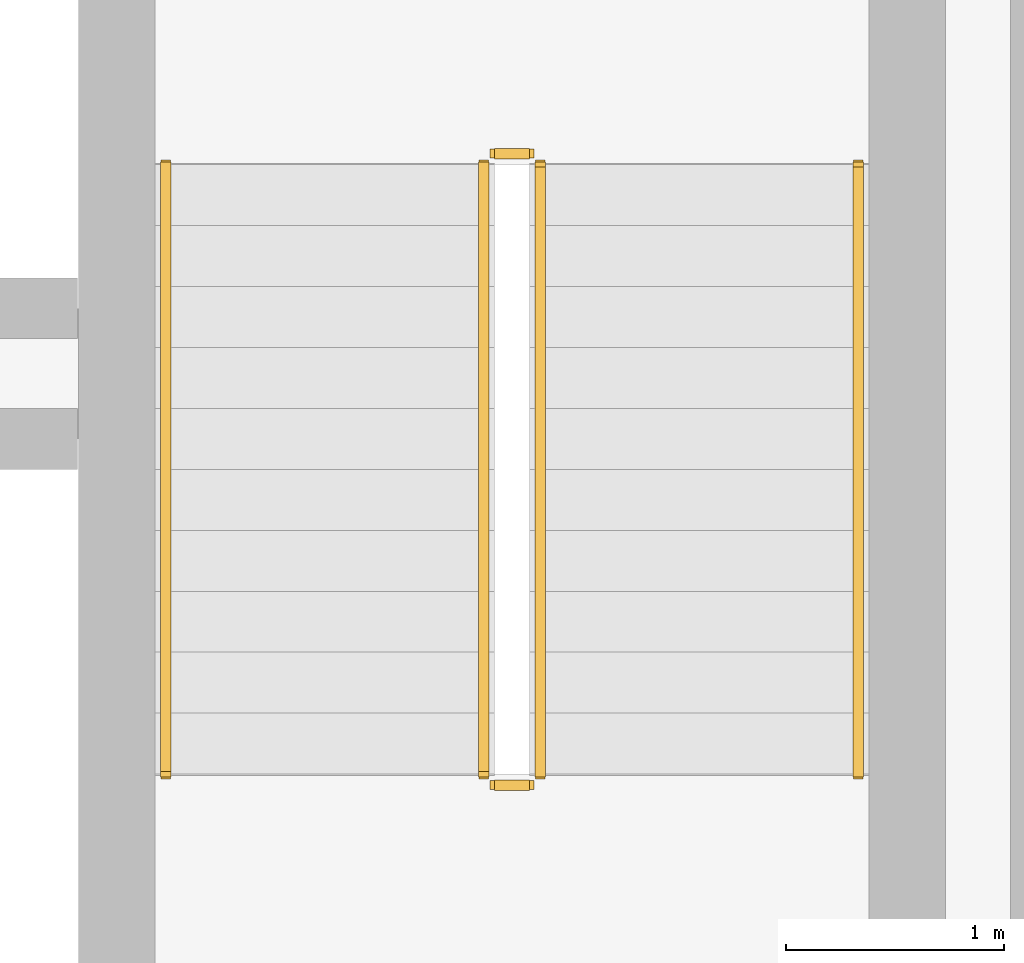
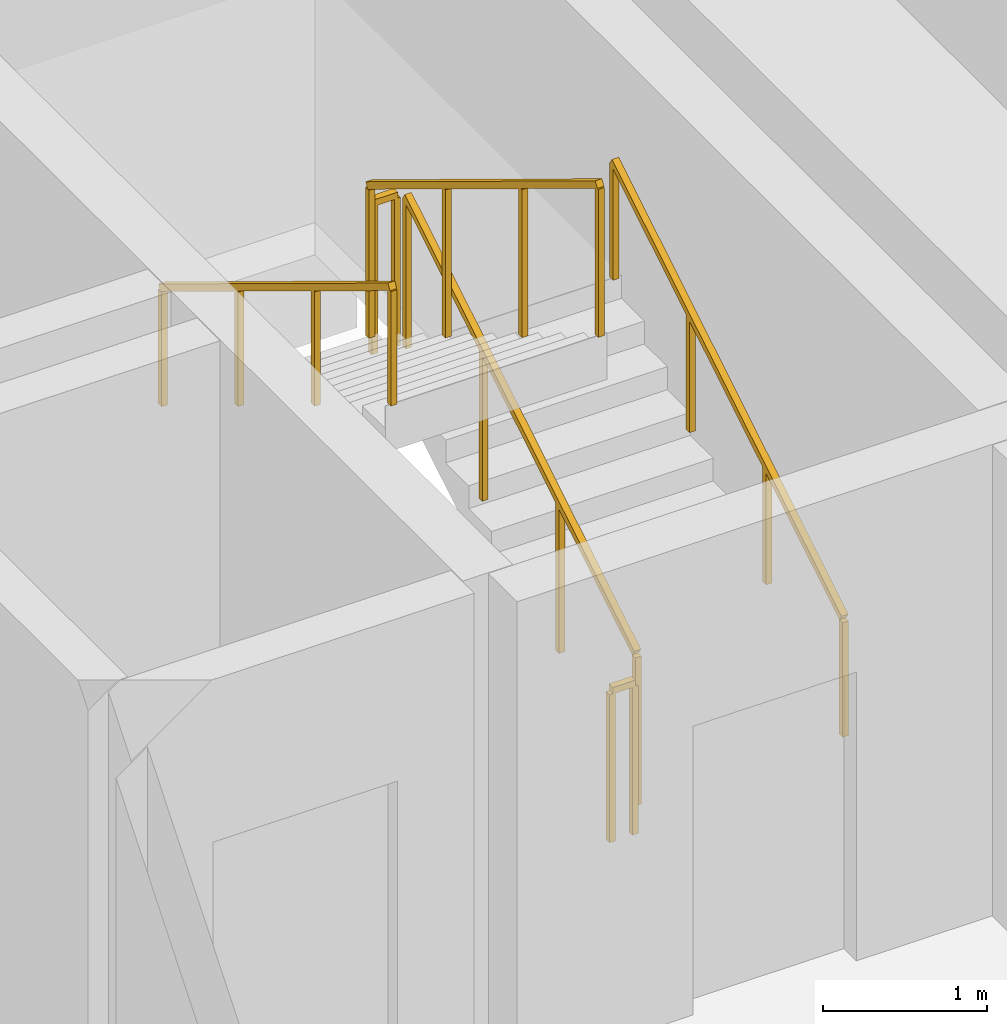
# One storey, part 15 of 15: 6 railings.
"""IFC4 building model written with IfcOpenShell, lengths in metres."""

from ifc_helpers import new_model, si_unit, direction, frame, origin, origin_2d, place, context, subcontext, project, spatial, rectangle, extrude, material, type_object, element, save


model = new_model("IFC4")

# Units and contexts
model_context = context("Model", 3, precision=1e-05, world=origin(), true_north=direction((0.0, 1.0)))
body_context = subcontext(model_context, "Body", "Model", "MODEL_VIEW")
ifc_project = project(units=[si_unit("LENGTHUNIT", "METRE"), si_unit("AREAUNIT", "SQUARE_METRE"), si_unit("VOLUMEUNIT", "CUBIC_METRE"), si_unit("PLANEANGLEUNIT", "RADIAN"), si_unit("MASSUNIT", "GRAM", prefix="KILO")], contexts=[model_context])

# Site, building, storey
site_placement = place(None, origin())
site = spatial("IfcSite", under=ifc_project, at=site_placement, CompositionType="ELEMENT")
building_placement = place(site_placement, origin())
building = spatial("IfcBuilding", under=site, at=building_placement, Name="Kaelvorn Grand Hotel", CompositionType="ELEMENT")
storey_placement = place(building_placement, frame((0.0, 0.0, 46.39990234375)))
storey = spatial("IfcBuildingStorey", under=building, at=storey_placement, Name="L09", CompositionType="ELEMENT", Elevation=46.39990234375)

# Railings
ifc_material = material(Name="Stainless Steel", Category="steel")
railing_type_1 = type_object("IfcRailingType", Name="RL-HANDRAIL-900", PredefinedType="HANDRAIL", material=ifc_material)
railing_1_placement = place(storey_placement, frame((66.550048828125, 41.760009765625, 0.170654296875)))
element("IfcRailing", 1, at=railing_1_placement, inside=storey, type_object=railing_type_1, Name="L09 ST3 stair handrail 1", PredefinedType="HANDRAIL", context=body_context, shape_type="SweptSolid", body=[
    extrude(rectangle(XDim=0.048095703125, YDim=0.048095703125, at=origin_2d()), frame((0.0, 0.0, 0.8759765625), z_axis=(0.0, 0.854202870247, 0.519939858505), x_axis=(-1.0, 0.0, 0.0)), (0.0, 0.0, 1.0), 3.278076171875),
    extrude(rectangle(XDim=0.0419921875, YDim=0.0419921875, at=origin_2d()), origin(), (0.0, 0.0, 1.0), 0.851806640625),
    extrude(rectangle(XDim=0.0419921875, YDim=0.0419921875, at=origin_2d()), frame((0.0, 0.933349609375, 0.568115234375)), (0.0, 0.0, 1.0), 0.851806640625),
    extrude(rectangle(XDim=0.0419921875, YDim=0.0419921875, at=origin_2d()), frame((0.0, 1.86669921875, 1.13623046875)), (0.0, 0.0, 1.0), 0.851806640625),
    extrude(rectangle(XDim=0.0419921875, YDim=0.0419921875, at=origin_2d()), frame((0.0, 2.800048828125, 1.704345703125)), (0.0, 0.0, 1.0), 0.851806640625),
])
railing_2_placement = place(storey_placement, frame((63.3701171875, 44.56005859375, 2.045654296875)))
element("IfcRailing", 2, at=railing_2_placement, inside=storey, type_object=railing_type_1, Name="L09 ST3 stair handrail 2", PredefinedType="HANDRAIL", context=body_context, shape_type="SweptSolid", body=[
    extrude(rectangle(XDim=0.048095703125, YDim=0.048095703125, at=origin_2d()), frame((0.0, 0.0, 0.8759765625), z_axis=(0.0, -0.854202870247, 0.519939858505), x_axis=(1.0, 0.0, 0.0)), (0.0, 0.0, 1.0), 3.278076171875),
    extrude(rectangle(XDim=0.0419921875, YDim=0.0419921875, at=origin_2d()), origin(), (0.0, 0.0, 1.0), 0.851806640625),
    extrude(rectangle(XDim=0.0419921875, YDim=0.0419921875, at=origin_2d()), frame((0.0, -0.933349609375, 0.568115234375)), (0.0, 0.0, 1.0), 0.851806640625),
    extrude(rectangle(XDim=0.0419921875, YDim=0.0419921875, at=origin_2d()), frame((0.0, -1.86669921875, 1.13623046875)), (0.0, 0.0, 1.0), 0.851806640625),
    extrude(rectangle(XDim=0.0419921875, YDim=0.0419921875, at=origin_2d()), frame((0.0, -2.800048828125, 1.704345703125)), (0.0, 0.0, 1.0), 0.851806640625),
])
railing_type_2 = type_object("IfcRailingType", Name="RL-STAIR-GUARD-1150", PredefinedType="BALUSTRADE", material=ifc_material)
railing_3_placement = place(storey_placement, frame((65.090087890625, 41.760009765625, 0.170654296875)))
element("IfcRailing", 3, at=railing_3_placement, inside=storey, type_object=railing_type_2, Name="L09 ST3 stair guard 1", PredefinedType="BALUSTRADE", context=body_context, shape_type="SweptSolid", body=[
    extrude(rectangle(XDim=0.048095703125, YDim=0.048095703125, at=origin_2d()), frame((0.0, 0.0, 1.1259765625), z_axis=(0.0, 0.854202870247, 0.519939858505), x_axis=(-1.0, 0.0, 0.0)), (0.0, 0.0, 1.0), 3.278076171875),
    extrude(rectangle(XDim=0.0419921875, YDim=0.0419921875, at=origin_2d()), origin(), (0.0, 0.0, 1.0), 1.101806640625),
    extrude(rectangle(XDim=0.0419921875, YDim=0.0419921875, at=origin_2d()), frame((0.0, 0.933349609375, 0.568115234375)), (0.0, 0.0, 1.0), 1.101806640625),
    extrude(rectangle(XDim=0.0419921875, YDim=0.0419921875, at=origin_2d()), frame((0.0, 1.86669921875, 1.13623046875)), (0.0, 0.0, 1.0), 1.101806640625),
    extrude(rectangle(XDim=0.0419921875, YDim=0.0419921875, at=origin_2d()), frame((0.0, 2.800048828125, 1.704345703125)), (0.0, 0.0, 1.0), 1.101806640625),
])
railing_4_placement = place(storey_placement, frame((65.0400390625, 44.610107421875, 1.875)))
element("IfcRailing", 4, at=railing_4_placement, inside=storey, type_object=railing_type_2, Name="L09 ST3 stair guard 2", PredefinedType="BALUSTRADE", context=body_context, shape_type="SweptSolid", body=[
    extrude(rectangle(XDim=0.048095703125, YDim=0.048095703125, at=origin_2d()), frame((0.0, 0.0, 1.1259765625), z_axis=(-1.0, 0.0, 0.0), x_axis=(0.0, -1.0, 0.0)), (0.0, 0.0, 1.0), 0.16015625),
    extrude(rectangle(XDim=0.0419921875, YDim=0.0419921875, at=origin_2d()), origin(), (0.0, 0.0, 1.0), 1.101806640625),
    extrude(rectangle(XDim=0.0419921875, YDim=0.0419921875, at=origin_2d()), frame((-0.16015625, 0.0, 0.0)), (0.0, 0.0, 1.0), 1.101806640625),
])
railing_5_placement = place(storey_placement, frame((64.830078125, 44.56005859375, 2.045654296875)))
element("IfcRailing", 5, at=railing_5_placement, inside=storey, type_object=railing_type_2, Name="L09 ST3 stair guard 3", PredefinedType="BALUSTRADE", context=body_context, shape_type="SweptSolid", body=[
    extrude(rectangle(XDim=0.048095703125, YDim=0.048095703125, at=origin_2d()), frame((0.0, 0.0, 1.1259765625), z_axis=(0.0, -0.854202870247, 0.519939858505), x_axis=(1.0, 0.0, 0.0)), (0.0, 0.0, 1.0), 3.278076171875),
    extrude(rectangle(XDim=0.0419921875, YDim=0.0419921875, at=origin_2d()), origin(), (0.0, 0.0, 1.0), 1.101806640625),
    extrude(rectangle(XDim=0.0419921875, YDim=0.0419921875, at=origin_2d()), frame((0.0, -0.933349609375, 0.568115234375)), (0.0, 0.0, 1.0), 1.101806640625),
    extrude(rectangle(XDim=0.0419921875, YDim=0.0419921875, at=origin_2d()), frame((0.0, -1.86669921875, 1.13623046875)), (0.0, 0.0, 1.0), 1.101806640625),
    extrude(rectangle(XDim=0.0419921875, YDim=0.0419921875, at=origin_2d()), frame((0.0, -2.800048828125, 1.704345703125)), (0.0, 0.0, 1.0), 1.101806640625),
])
railing_6_placement = place(storey_placement, frame((65.0400390625, 41.7099609375, 0.0)))
element("IfcRailing", 6, at=railing_6_placement, inside=storey, type_object=railing_type_2, Name="L09 ST3 stair guard 4", PredefinedType="BALUSTRADE", context=body_context, shape_type="SweptSolid", body=[
    extrude(rectangle(XDim=0.048095703125, YDim=0.048095703125, at=origin_2d()), frame((0.0, 0.0, 1.1259765625), z_axis=(-1.0, 0.0, 0.0), x_axis=(0.0, -1.0, 0.0)), (0.0, 0.0, 1.0), 0.16015625),
    extrude(rectangle(XDim=0.0419921875, YDim=0.0419921875, at=origin_2d()), origin(), (0.0, 0.0, 1.0), 1.101806640625),
    extrude(rectangle(XDim=0.0419921875, YDim=0.0419921875, at=origin_2d()), frame((-0.16015625, 0.0, 0.0)), (0.0, 0.0, 1.0), 1.101806640625),
])

save(model, "model.ifc")
